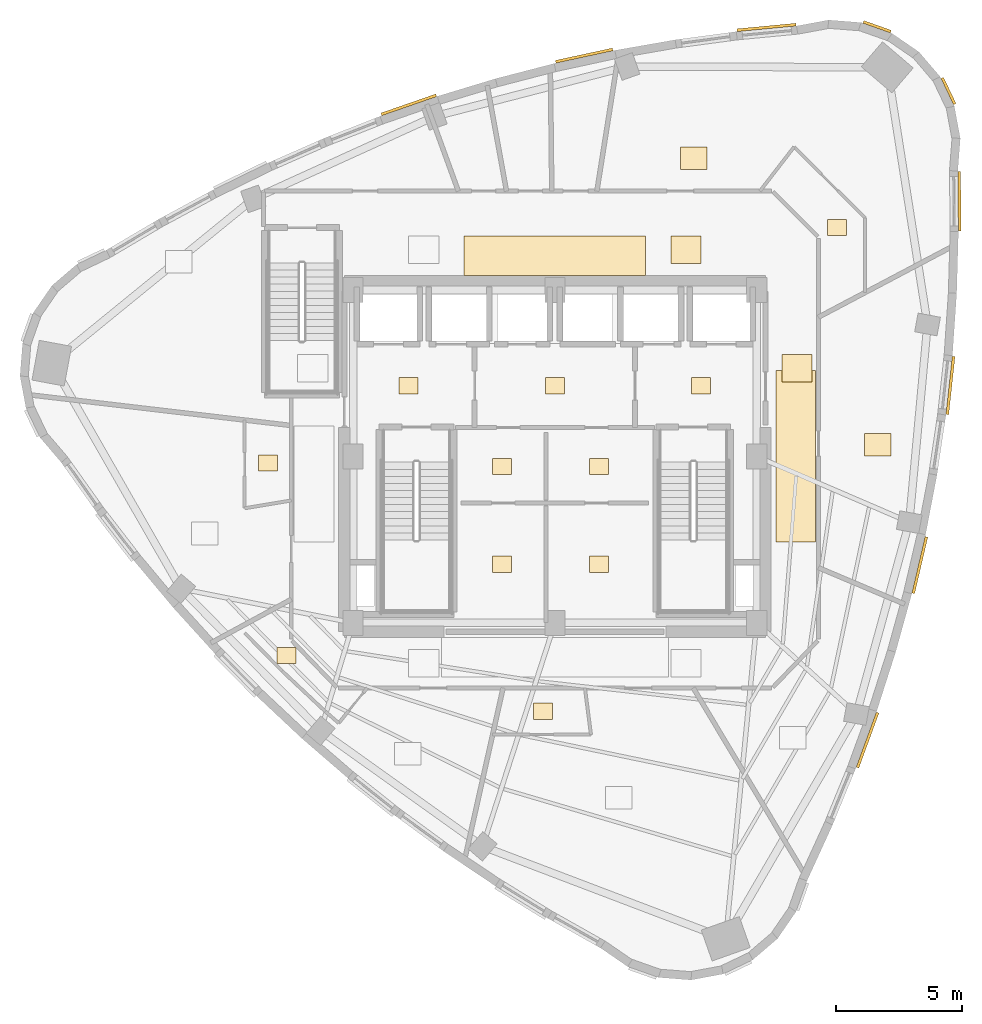
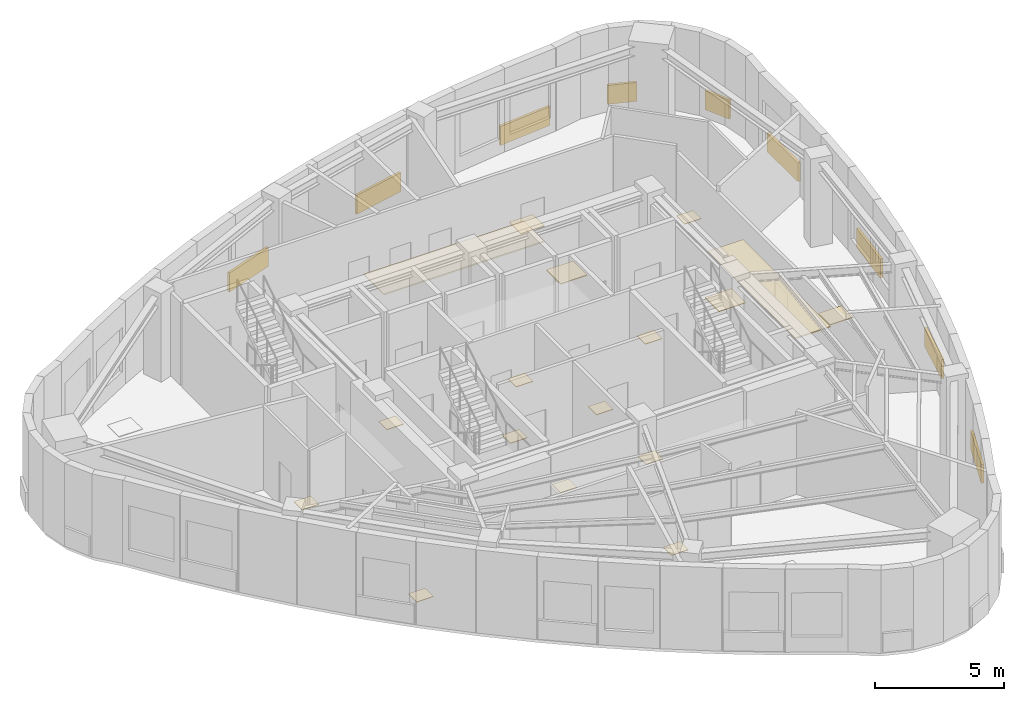
# One storey, part 9 of 9: 26 coverings.
"""IFC4 building model written with IfcOpenShell, lengths in metres."""

from ifc_helpers import new_model, si_unit, direction, frame, origin, origin_2d, place, context, subcontext, project, spatial, rectangle, extrude, material, layer, layer_set, type_object, element, save


model = new_model("IFC4")

# Units and contexts
model_context = context("Model", 3, precision=1e-05, world=origin(), true_north=direction((0.0, 1.0)))
body_context = subcontext(model_context, "Body", "Model", "MODEL_VIEW")
ifc_project = project(units=[si_unit("LENGTHUNIT", "METRE"), si_unit("AREAUNIT", "SQUARE_METRE"), si_unit("VOLUMEUNIT", "CUBIC_METRE"), si_unit("PLANEANGLEUNIT", "RADIAN"), si_unit("MASSUNIT", "GRAM", prefix="KILO")], contexts=[model_context])

# Site, building, storey
site_placement = place(None, origin())
site = spatial("IfcSite", under=ifc_project, at=site_placement, CompositionType="ELEMENT")
building_placement = place(site_placement, origin())
building = spatial("IfcBuilding", under=site, at=building_placement, Name="Ndelora Gate Hotel", CompositionType="ELEMENT")
storey_placement = place(building_placement, frame((0.0, 0.0, 264.39990234375)))
storey = spatial("IfcBuildingStorey", under=building, at=storey_placement, Name="L66", CompositionType="ELEMENT", Elevation=264.39990234375)

# Coverings
ifc_material_1 = material(Name="Perforated Acoustic Gypsum Board", Category="gypsum")
ifc_layer_1 = layer(ifc_material_1, 0.054931640625)
ifc_layer_set_1 = layer_set([ifc_layer_1], Name="Perforated Acoustic Gypsum Board")
covering_type_1 = type_object("IfcCoveringType", Name="COV-CEIL-AC60", PredefinedType="CEILING", material=ifc_layer_set_1)
covering_1_placement = place(storey_placement, frame((0.0, 7.9599609375, 2.65283203125), z_axis=(0.0, 0.0, 1.0), x_axis=(1.0, 0.0, 0.0)))
element("IfcCovering", 1, at=covering_1_placement, inside=storey, type_object=covering_type_1, Name="L66 Guest Corridor Acoustic Ceiling N", PredefinedType="CEILING", context=body_context, shape_type="SweptSolid", body=[
    extrude(rectangle(XDim=7.199951171875, YDim=1.580078125, at=origin_2d()), origin(), (0.0, 0.0, 1.0), 0.054931640625),
])
covering_2_placement = place(storey_placement, frame((9.550048828125, 0.0, 2.65283203125), z_axis=(0.0, 0.0, 1.0), x_axis=(1.0, 0.0, 0.0)))
element("IfcCovering", 2, at=covering_2_placement, inside=storey, type_object=covering_type_1, Name="L66 Guest Corridor Acoustic Ceiling E", PredefinedType="CEILING", context=body_context, shape_type="SweptSolid", body=[
    extrude(rectangle(XDim=1.580078125, YDim=6.800048828125, at=origin_2d()), origin(), (0.0, 0.0, 1.0), 0.054931640625),
])
ifc_material_2 = material(Name="Terracotta Fired Clay Brick Slip Cladding", Category="masonry")
ifc_layer_2 = layer(ifc_material_2, 0.110107421875)
ifc_layer_set_2 = layer_set([ifc_layer_2], Name="Terracotta Fired Clay Brick Slip Cladding")
covering_type_2 = type_object("IfcCoveringType", Name="COV-CLAD-BRK", PredefinedType="CLADDING", material=ifc_layer_set_2)
covering_3_placement = place(storey_placement, frame((12.397216796875, -11.245849609375, 0.10009765625), z_axis=(0.0, 0.0, 1.0), x_axis=(0.343331867922, 0.939214154743, 0.0)))
element("IfcCovering", 3, at=covering_3_placement, inside=storey, type_object=covering_type_2, Name="L66 Rounded-Corner Brick Cladding Band 31", PredefinedType="CLADDING", context=body_context, shape_type="SweptSolid", body=[
    extrude(rectangle(XDim=2.322021484375, YDim=0.110107421875, at=origin_2d()), origin(), (0.0, 0.0, 1.0), 0.89990234375),
])
covering_4_placement = place(storey_placement, frame((14.470947265625, -4.305908203125, 0.10009765625), z_axis=(0.0, 0.0, 1.0), x_axis=(0.227671128223, 0.973738084586, 0.0)))
element("IfcCovering", 4, at=covering_4_placement, inside=storey, type_object=covering_type_2, Name="L66 Rounded-Corner Brick Cladding Band 34", PredefinedType="CLADDING", context=body_context, shape_type="SweptSolid", body=[
    extrude(rectangle(XDim=2.298095703125, YDim=0.110107421875, at=origin_2d()), origin(), (0.0, 0.0, 1.0), 0.89990234375),
])
covering_5_placement = place(storey_placement, frame((15.685546875, 2.816650390625, 0.10009765625), z_axis=(0.0, 0.0, 1.0), x_axis=(0.108172866136, 0.994132099387, 0.0)))
element("IfcCovering", 5, at=covering_5_placement, inside=storey, type_object=covering_type_2, Name="L66 Rounded-Corner Brick Cladding Band 37", PredefinedType="CLADDING", context=body_context, shape_type="SweptSolid", body=[
    extrude(rectangle(XDim=2.31005859375, YDim=0.110107421875, at=origin_2d()), origin(), (0.0, 0.0, 1.0), 0.89990234375),
])
covering_6_placement = place(storey_placement, frame((16.041259765625, 10.120849609375, 0.10009765625), z_axis=(0.0, 0.0, 1.0), x_axis=(-0.009948212638, 0.999950515308, 0.0)))
element("IfcCovering", 6, at=covering_6_placement, inside=storey, type_object=covering_type_2, Name="L66 Rounded-Corner Brick Cladding Band 40", PredefinedType="CLADDING", context=body_context, shape_type="SweptSolid", body=[
    extrude(rectangle(XDim=2.35693359375, YDim=0.110107421875, at=origin_2d()), origin(), (0.0, 0.0, 1.0), 0.89990234375),
])
for number, where, z_axis, x_axis, name in (
    (7, (15.60791015625, 14.48779296875, 0.10009765625), (0.0, 0.0, 1.0), (-0.430511096808, 0.90258528435, 0.0), "L66 Rounded-Corner Brick Cladding Band 43"),
    (8, (12.77685546875, 17.036865234375, 0.10009765625), (0.0, 0.0, 1.0), (-0.942641491092, 0.333806859234, 0.0), "L66 Rounded-Corner Brick Cladding Band 46"),
):
    element("IfcCovering", number, at=place(storey_placement, frame(where, z_axis=z_axis, x_axis=x_axis)), inside=storey, type_object=covering_type_2, Name=name, PredefinedType="CLADDING", context=body_context, shape_type="SweptSolid", body=[
        extrude(rectangle(XDim=1.153076171875, YDim=0.110107421875, at=origin_2d()), origin(), (0.0, 0.0, 1.0), 0.89990234375),
    ])
covering_7_placement = place(storey_placement, frame((8.388671875, 17.01123046875, 0.10009765625), z_axis=(0.0, 0.0, 1.0), x_axis=(0.995512553138, 0.09462957542, 0.0)))
element("IfcCovering", 9, at=covering_7_placement, inside=storey, type_object=covering_type_2, Name="L66 Rounded-Corner Brick Cladding Band 49", PredefinedType="CLADDING", context=body_context, shape_type="SweptSolid", body=[
    extrude(rectangle(XDim=2.35693359375, YDim=0.110107421875, at=origin_2d()), origin(), (0.0, 0.0, 1.0), 0.89990234375),
])
covering_8_placement = place(storey_placement, frame((1.16162109375, 15.894287109375, 0.10009765625), z_axis=(0.0, 0.0, 1.0), x_axis=(0.977378996264, 0.211495384491, 0.0)))
element("IfcCovering", 10, at=covering_8_placement, inside=storey, type_object=covering_type_2, Name="L66 Rounded-Corner Brick Cladding Band 52", PredefinedType="CLADDING", context=body_context, shape_type="SweptSolid", body=[
    extrude(rectangle(XDim=2.31005859375, YDim=0.110107421875, at=origin_2d()), origin(), (0.0, 0.0, 1.0), 0.89990234375),
])
covering_9_placement = place(storey_placement, frame((-5.794921875, 13.941650390625, 0.10009765625), z_axis=(0.0, 0.0, 1.0), x_axis=(0.944605732311, 0.328207267568, 0.0)))
element("IfcCovering", 11, at=covering_9_placement, inside=storey, type_object=covering_type_2, Name="L66 Rounded-Corner Brick Cladding Band 55", PredefinedType="CLADDING", context=body_context, shape_type="SweptSolid", body=[
    extrude(rectangle(XDim=2.298095703125, YDim=0.110107421875, at=origin_2d()), origin(), (0.0, 0.0, 1.0), 0.89990234375),
])
ifc_material_3 = material(Name="Engineered Highland Oak Parquet", Category="wood")
ifc_layer_3 = layer(ifc_material_3, 0.030029296875)
ifc_layer_set_3 = layer_set([ifc_layer_3], Name="Engineered Highland Oak Parquet")
covering_type_3 = type_object("IfcCoveringType", Name="COV-FLR-PARQ", PredefinedType="FLOORING", material=ifc_layer_set_3)
for number, where, z_axis, x_axis, name in (
    (12, (12.805419921875, 0.46044921875, 0.0), (0.0, 0.0, 1.0), (1.0, 0.0, 0.0), "L66 Crown Horizon Salon Oak Parquet Flooring"),
    (13, (5.49853515625, 11.82373046875, 0.0), (0.0, 0.0, 1.0), (1.0, 0.0, 0.0), "L66 Crown Horizon Suite 6904 Oak Parquet Flooring"),
):
    element("IfcCovering", number, at=place(storey_placement, frame(where, z_axis=z_axis, x_axis=x_axis)), inside=storey, type_object=covering_type_3, Name=name, PredefinedType="FLOORING", context=body_context, shape_type="SweptSolid", body=[
        extrude(rectangle(XDim=1.050048828125, YDim=0.89990234375, at=origin_2d()), origin(), (0.0, 0.0, 1.0), 0.030029296875),
    ])
ifc_material_4 = material(Name="Polished Highland Stone Terrazzo", Category="masonry")
ifc_layer_4 = layer(ifc_material_4, 0.034912109375)
ifc_layer_set_4 = layer_set([ifc_layer_4], Name="Polished Highland Stone Terrazzo")
covering_type_4 = type_object("IfcCoveringType", Name="COV-FLR-TERZ", PredefinedType="FLOORING", material=ifc_layer_set_4)
for number, where, z_axis, x_axis, name in (
    (14, (5.199951171875, 8.199951171875, 0.0), (0.0, 0.0, 1.0), (1.0, 0.0, 0.0), "L66 Corridor Threshold Terrazzo Inlay NE"),
    (15, (9.60009765625, 3.5, 0.0), (0.0, 0.0, 1.0), (1.0, 0.0, 0.0), "L66 Corridor Threshold Terrazzo Inlay E"),
):
    element("IfcCovering", number, at=place(storey_placement, frame(where, z_axis=z_axis, x_axis=x_axis)), inside=storey, type_object=covering_type_4, Name=name, PredefinedType="FLOORING", context=body_context, shape_type="SweptSolid", body=[
        extrude(rectangle(XDim=1.199951171875, YDim=1.10009765625, at=origin_2d()), origin(), (0.0, 0.0, 1.0), 0.034912109375),
    ])
ifc_material_5 = material(Name="Non-Slip Porcelain Wet-Room Tile", Category="ceramic")
ifc_layer_5 = layer(ifc_material_5, 0.02490234375)
ifc_layer_set_5 = layer_set([ifc_layer_5], Name="Non-Slip Porcelain Wet-Room Tile")
covering_type_5 = type_object("IfcCoveringType", Name="COV-FLR-TILE", PredefinedType="FLOORING", material=ifc_layer_set_5)
for number, where, z_axis, x_axis, name in (
    (16, (-5.800048828125, 2.800048828125, 0.000244140625), (0.0, 0.0, 1.0), (1.0, 0.0, 0.0), "L66 Firefighting Lift Lobby West Porcelain Tile Flooring"),
    (17, (5.800048828125, 2.800048828125, 0.000244140625), (0.0, 0.0, 1.0), (1.0, 0.0, 0.0), "L66 Firefighting Lift Lobby East Porcelain Tile Flooring"),
    (18, (0.0, 2.800048828125, 0.000244140625), (0.0, 0.0, 1.0), (1.0, 0.0, 0.0), "L66 Central Passenger Lift Lobby Porcelain Tile Flooring"),
    (19, (-2.10009765625, -0.39990234375, 0.000244140625), (0.0, 0.0, 1.0), (1.0, 0.0, 0.0), "L66 Core Electrical Closet Porcelain Tile Flooring"),
    (20, (1.75, -0.39990234375, 0.000244140625), (0.0, 0.0, 1.0), (1.0, 0.0, 0.0), "L66 Comms Patching Store Porcelain Tile Flooring"),
    (21, (-2.10009765625, -4.27490234375, 0.000244140625), (0.0, 0.0, 1.0), (1.0, 0.0, 0.0), "L66 Valet Laundry Store Porcelain Tile Flooring"),
    (22, (1.75, -4.27490234375, 0.000244140625), (0.0, 0.0, 1.0), (1.0, 0.0, 0.0), "L66 Housekeeping Reserve Store Porcelain Tile Flooring"),
    (23, (-11.375, -0.260498046875, 0.000244140625), (0.0, 0.0, 1.0), (1.0, 0.0, 0.0), "L66 En-suite Bathroom 6901 Porcelain Tile Flooring"),
    (24, (-10.639404296875, -7.89208984375, 0.000244140625), (0.0, 0.0, 1.0), (1.0, 0.0, 0.0), "L66 En-suite Bathroom 6902 Porcelain Tile Flooring"),
    (25, (-0.4755859375, -10.10498046875, 0.000244140625), (0.0, 0.0, 1.0), (1.0, 0.0, 0.0), "L66 En-suite Bathroom 6903 Porcelain Tile Flooring"),
    (26, (11.188720703125, 9.0791015625, 0.000244140625), (0.0, 0.0, 1.0), (1.0, 0.0, 0.0), "L66 En-suite Bathroom 6904 Porcelain Tile Flooring"),
):
    element("IfcCovering", number, at=place(storey_placement, frame(where, z_axis=z_axis, x_axis=x_axis)), inside=storey, type_object=covering_type_5, Name=name, PredefinedType="FLOORING", context=body_context, shape_type="SweptSolid", body=[
        extrude(rectangle(XDim=0.75, YDim=0.64990234375, at=origin_2d()), origin(), (0.0, 0.0, 1.0), 0.02490234375),
    ])

save(model, "model.ifc")
